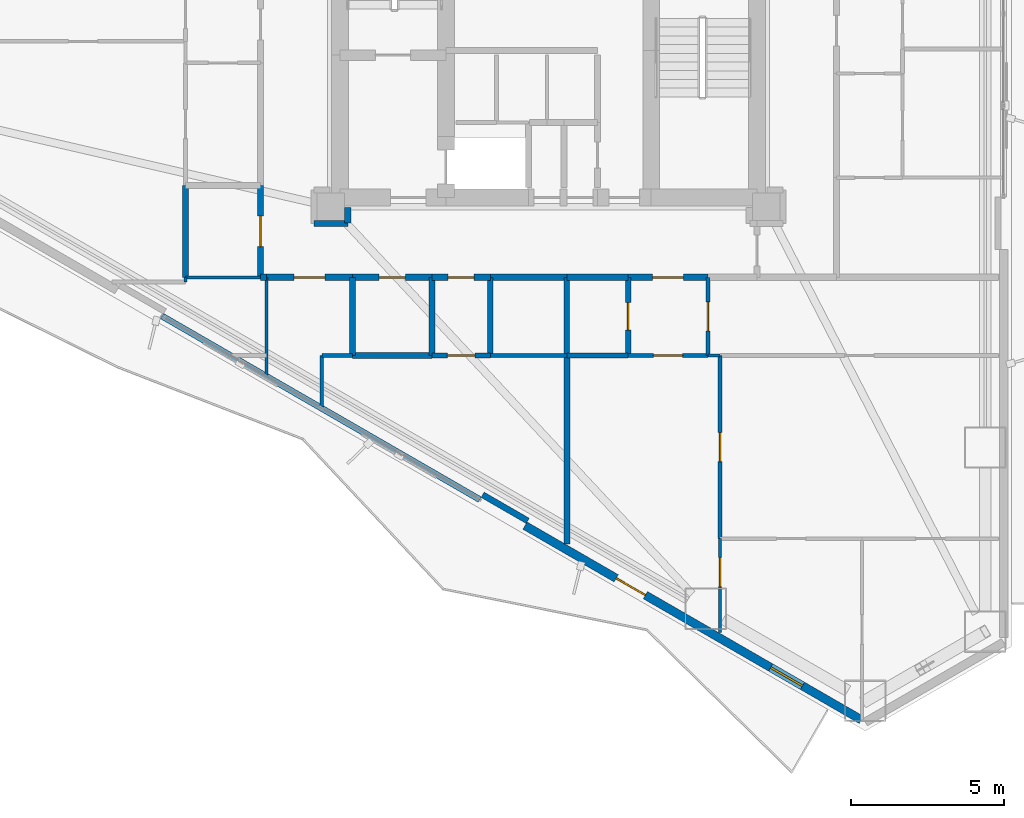
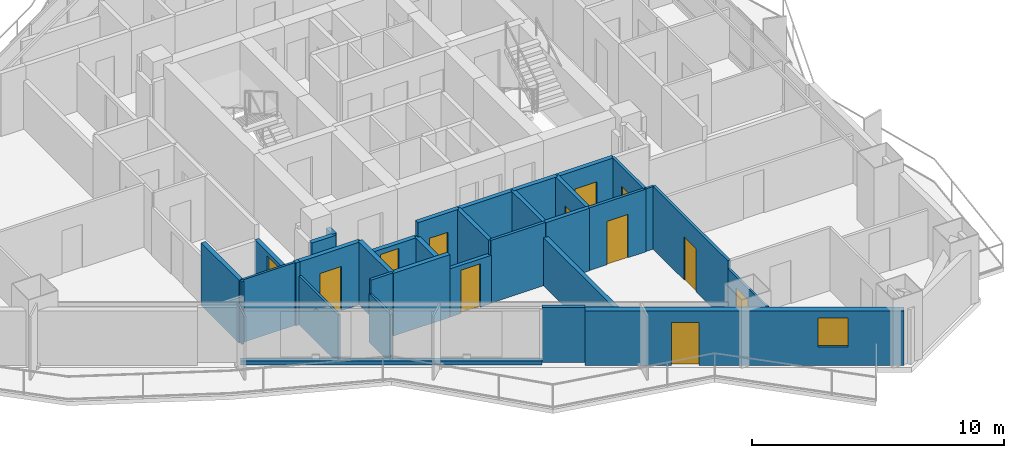
# One storey, part 12 of 19: 34 walls, 12 doors, 1 window, 13 openings.
"""IFC4 building model written with IfcOpenShell, lengths in metres."""

from ifc_helpers import new_model, si_unit, direction, frame, frame_2d, origin, place, context, subcontext, project, spatial, rectangle, extrude, material, layer, layer_set, type_object, element, fill, save


model = new_model("IFC4")

# Units and contexts
model_context = context("Model", 3, precision=1e-05, world=origin(), true_north=direction((0.0, 1.0)))
body_context = subcontext(model_context, "Body", "Model", "MODEL_VIEW")
ifc_project = project(units=[si_unit("LENGTHUNIT", "METRE"), si_unit("AREAUNIT", "SQUARE_METRE"), si_unit("VOLUMEUNIT", "CUBIC_METRE"), si_unit("PLANEANGLEUNIT", "RADIAN"), si_unit("MASSUNIT", "GRAM", prefix="KILO")], contexts=[model_context])

# Site, building, storey
site_placement = place(None, origin())
site = spatial("IfcSite", under=ifc_project, at=site_placement, CompositionType="ELEMENT")
building_placement = place(site_placement, origin())
building = spatial("IfcBuilding", under=site, at=building_placement, Name="Mersakhor Tower and Convention Hall", CompositionType="ELEMENT")
storey_placement = place(building_placement, frame((0.0, 0.0, 25.800048828125)))
storey = spatial("IfcBuildingStorey", under=building, at=storey_placement, Name="L06", CompositionType="ELEMENT", Elevation=25.800048828125)

# Wall, openings, door, window
ifc_material_1 = material(Name="Precast concrete C45/55", Category="concrete")
ifc_layer_1 = layer(ifc_material_1, 0.27490234375)
ifc_layer_set_1 = layer_set([ifc_layer_1], Name="Precast concrete C45/55")
wall_type_1 = type_object("IfcWallType", Name="WL-EXT-275", PredefinedType="SOLIDWALL", material=ifc_layer_set_1)
wall_1_placement = place(storey_placement, frame((39.20703125, 3.709716796875, 0.0), z_axis=(0.0, 0.0, 1.0), x_axis=(-0.86603192154, 0.499988710747, 0.0)))
wall_1 = element("IfcWall", 1, at=wall_1_placement, inside=storey, type_object=wall_type_1, Name="L06 Exterior Facade Wall F3-B1", PredefinedType="SOLIDWALL", context=body_context, shape_type="SweptSolid", body=[
    extrude(rectangle(XDim=12.673095703125, YDim=0.27490234375, at=frame_2d((6.33642578125, 0.0))), origin(), (0.0, 0.0, 1.0), 2.659912109375),
])
opening_1_placement = place(wall_1_placement, frame((8.135986328125, 0.0, 0.0)))
opening_1 = element("IfcOpeningElement", 2, at=opening_1_placement, cuts=wall_1, Name="Opening BD-02", PredefinedType="OPENING", context=body_context, shape_type="SweptSolid", body=[
    extrude(rectangle(XDim=1.10009765625, YDim=2.10009765625, at=frame_2d((0.550048828125, 1.050048828125))), frame((0.0, 0.1474609375, 0.0), z_axis=(0.0, -1.0, 0.0), x_axis=(1.0, 0.0, 0.0)), (0.0, 0.0, 1.0), 0.294921875),
])
opening_2_placement = place(wall_1_placement, frame((2.216064453125, 0.0, 0.89990234375)))
opening_2 = element("IfcOpeningElement", 3, at=opening_2_placement, cuts=wall_1, Name="Opening W-01", PredefinedType="OPENING", context=body_context, shape_type="SweptSolid", body=[
    extrude(rectangle(XDim=1.199951171875, YDim=1.39990234375, at=frame_2d((0.60009765625, 0.699951171875))), frame((0.0, 0.1474609375, 0.0), z_axis=(0.0, -1.0, 0.0), x_axis=(1.0, 0.0, 0.0)), (0.0, 0.0, 1.0), 0.294921875),
])
ifc_material_2 = material(Name="Thermally broken dark aluminium and safety glass", Category="aluminium")
door_type_1 = type_object("IfcDoorType", Name="DR-BAL-110x210", OperationType="NOTDEFINED", PredefinedType="DOOR", material=ifc_material_2)
door_1_placement = place(opening_1_placement, origin())
door_1 = element("IfcDoor", 4, at=door_1_placement, inside=storey, type_object=door_type_1, Name="L06 Balcony Terrace Door F3-B1", OperationType="SINGLE_SWING_RIGHT", OverallHeight=2.10009765625, OverallWidth=1.10009765625, PredefinedType="DOOR", context=body_context, shape_type="SweptSolid", body=[
    extrude(rectangle(XDim=1.10009765625, YDim=2.10009765625, at=frame_2d((0.550048828125, 1.050048828125))), frame((0.0, 0.02490234375, 0.0), z_axis=(0.0, -1.0, 0.0), x_axis=(1.0, 0.0, 0.0)), (0.0, 0.0, 1.0), 0.050048828125),
])
fill(opening_1, door_1)
ifc_material_3 = material(Name="Dark solar low-E glazed aluminium window", Category="aluminium")
window_type = type_object("IfcWindowType", Name="WN-RES-120x150", PartitioningType="SINGLE_PANEL", PredefinedType="WINDOW", material=ifc_material_3)
window_placement = place(opening_2_placement, origin())
window = element("IfcWindow", 5, at=window_placement, inside=storey, type_object=window_type, Name="L06 Bedroom Facade Window F3-B1-1", OverallHeight=1.39990234375, OverallWidth=1.199951171875, PartitioningType="SINGLE_PANEL", PredefinedType="WINDOW", context=body_context, shape_type="SweptSolid", body=[
    extrude(rectangle(XDim=1.199951171875, YDim=1.39990234375, at=frame_2d((0.60009765625, 0.699951171875))), frame((0.0, 0.030029296875, 0.0), z_axis=(0.0, -1.0, 0.0), x_axis=(1.0, 0.0, 0.0)), (0.0, 0.0, 1.0), 0.06005859375),
])
fill(opening_2, window)

# Walls
ifc_material_4 = material(Name="Precast concrete C40/50", Category="concrete")
ifc_layer_2 = layer(ifc_material_4, 0.199951171875)
ifc_layer_set_2 = layer_set([ifc_layer_2], Name="Precast concrete C40/50")
wall_type_2 = type_object("IfcWallType", Name="WL-PAR-200", PredefinedType="PARAPET", material=ifc_layer_set_2)
wall_2_placement = place(storey_placement, frame((26.759521484375, 10.896240234375, 0.0), z_axis=(0.0, 0.0, 1.0), x_axis=(-0.866027351828, 0.499996625875, 0.0)))
element("IfcWall", 6, at=wall_2_placement, inside=storey, type_object=wall_type_2, Name="L06 Curtain Wall Upstand Sill F3-B2", PredefinedType="PARAPET", context=body_context, shape_type="SweptSolid", body=[
    extrude(rectangle(XDim=11.97314453125, YDim=0.199951171875, at=frame_2d((5.986572265625, 0.0))), origin(), (0.0, 0.0, 1.0), 0.199951171875),
])
wall_3_placement = place(storey_placement, frame((28.32177734375, 10.2021484375, 0.0), z_axis=(0.0, 0.0, 1.0), x_axis=(-0.86605165483, 0.499954529098, 0.0)))
element("IfcWall", 7, at=wall_3_placement, inside=storey, type_object=wall_type_2, Name="L06 Column Pier Cladding Wall F3-C1", PredefinedType="PARAPET", context=body_context, shape_type="SweptSolid", body=[
    extrude(rectangle(XDim=1.699951171875, YDim=0.199951171875, at=frame_2d((0.85009765625, 0.0))), origin(), (0.0, 0.0, 1.0), 2.659912109375),
])

# Wall, opening, door
ifc_material_5 = material(Name="Moisture-resistant acoustic drywall studwork", Category="other")
ifc_layer_3 = layer(ifc_material_5, 0.175048828125)
ifc_layer_set_3 = layer_set([ifc_layer_3], Name="Moisture-resistant acoustic drywall studwork")
wall_type_3 = type_object("IfcWallType", Name="WL-PLM-175", PredefinedType="PLUMBINGWALL", material=ifc_layer_set_3)
wall_4_placement = place(storey_placement, frame((31.60009765625, 15.60009765625, 0.0), z_axis=(0.0, 0.0, 1.0), x_axis=(0.0, 1.0, 0.0)))
wall_4 = element("IfcWall", 8, at=wall_4_placement, inside=storey, type_object=wall_type_3, Name="L06 Interior Partition Wall P-072", PredefinedType="PLUMBINGWALL", context=body_context, shape_type="SweptSolid", body=[
    extrude(rectangle(XDim=2.5498046875, YDim=0.175048828125, at=frame_2d((1.27490234375, 0.0))), origin(), (0.0, 0.0, 1.0), 3.0400390625),
])
opening_3_placement = place(wall_4_placement, frame((0.824951171875, 0.0, 0.0)))
opening_3 = element("IfcOpeningElement", 9, at=opening_3_placement, cuts=wall_4, Name="Opening WD-01", PredefinedType="OPENING", context=body_context, shape_type="SweptSolid", body=[
    extrude(rectangle(XDim=0.89990234375, YDim=2.10009765625, at=frame_2d((0.449951171875, 1.050048828125))), frame((0.0, 0.097412109375, 0.0), z_axis=(0.0, -1.0, 0.0), x_axis=(1.0, 0.0, 0.0)), (0.0, 0.0, 1.0), 0.195068359375),
])
ifc_material_6 = material(Name="Solid-core hardwood leaf in painted steel frame", Category="steel")
door_type_2 = type_object("IfcDoorType", Name="DR-INT-WET-090x210", OperationType="NOTDEFINED", PredefinedType="DOOR", material=ifc_material_6)
door_2_placement = place(opening_3_placement, origin())
door_2 = element("IfcDoor", 10, at=door_2_placement, inside=storey, type_object=door_type_2, Name="L06 L06 Flat S3 Apartment Hall to L06 Flat S3 Bathroom Door", OperationType="SINGLE_SWING_RIGHT", OverallHeight=2.10009765625, OverallWidth=0.89990234375, PredefinedType="DOOR", context=body_context, shape_type="SweptSolid", body=[
    extrude(rectangle(XDim=0.89990234375, YDim=2.10009765625, at=frame_2d((0.449951171875, 1.050048828125))), frame((0.0, 0.02490234375, 0.0), z_axis=(0.0, -1.0, 0.0), x_axis=(1.0, 0.0, 0.0)), (0.0, 0.0, 1.0), 0.050048828125),
])
fill(opening_3, door_2)

wall_5_placement = place(storey_placement, frame((27.10009765625, 15.60009765625, 0.0), z_axis=(0.0, 0.0, 1.0), x_axis=(-1.0, 0.0, 0.0)))
wall_5 = element("IfcWall", 11, at=wall_5_placement, inside=storey, type_object=wall_type_3, Name="L06 Interior Partition Wall P-089", PredefinedType="PLUMBINGWALL", context=body_context, shape_type="SweptSolid", body=[
    extrude(rectangle(XDim=1.900146484375, YDim=0.175048828125, at=frame_2d((0.9501953125, 0.0))), origin(), (0.0, 0.0, 1.0), 2.33740234375),
])
opening_4_placement = place(wall_5_placement, frame((0.5, 0.0, 0.0)))
opening_4 = element("IfcOpeningElement", 12, at=opening_4_placement, cuts=wall_5, Name="Opening WD-01", PredefinedType="OPENING", context=body_context, shape_type="SweptSolid", body=[
    extrude(rectangle(XDim=0.89990234375, YDim=2.10009765625, at=frame_2d((0.449951171875, 1.050048828125))), frame((0.0, 0.097412109375, 0.0), z_axis=(0.0, -1.0, 0.0), x_axis=(1.0, 0.0, 0.0)), (0.0, 0.0, 1.0), 0.195068359375),
])
door_3_placement = place(opening_4_placement, origin())
door_3 = element("IfcDoor", 13, at=door_3_placement, inside=storey, type_object=door_type_2, Name="L06 L06 Floor Shared Restroom WC 2-2 to L06 Floor Residents Study Room 2-4 Door", OperationType="SINGLE_SWING_LEFT", OverallHeight=2.10009765625, OverallWidth=0.89990234375, PredefinedType="DOOR", context=body_context, shape_type="SweptSolid", body=[
    extrude(rectangle(XDim=0.89990234375, YDim=2.10009765625, at=frame_2d((0.449951171875, 1.050048828125))), frame((0.0, 0.02490234375, 0.0), z_axis=(0.0, -1.0, 0.0), x_axis=(1.0, 0.0, 0.0)), (0.0, 0.0, 1.0), 0.050048828125),
])
fill(opening_4, door_3)

# Walls
wall_6_placement = place(storey_placement, frame((27.10009765625, 18.14990234375, 0.0), z_axis=(0.0, 0.0, 1.0), x_axis=(0.0, -1.0, 0.0)))
element("IfcWall", 14, at=wall_6_placement, inside=storey, type_object=wall_type_3, Name="L06 Interior Partition Wall P-091", PredefinedType="PLUMBINGWALL", context=body_context, shape_type="SweptSolid", body=[
    extrude(rectangle(XDim=2.5498046875, YDim=0.175048828125, at=frame_2d((1.27490234375, 0.0))), origin(), (0.0, 0.0, 1.0), 3.0400390625),
])
wall_7_placement = place(storey_placement, frame((31.60009765625, 15.60009765625, 0.0), z_axis=(0.0, 0.0, 1.0), x_axis=(-1.0, 0.0, 0.0)))
element("IfcWall", 15, at=wall_7_placement, inside=storey, type_object=wall_type_3, Name="L06 Interior Partition Wall P-092", PredefinedType="PLUMBINGWALL", context=body_context, shape_type="SweptSolid", body=[
    extrude(rectangle(XDim=2.0, YDim=0.175048828125, at=frame_2d((1.0, 0.0))), origin(), (0.0, 0.0, 1.0), 3.0400390625),
])
wall_8_placement = place(storey_placement, frame((29.60009765625, 15.60009765625, 0.0), z_axis=(0.0, 0.0, 1.0), x_axis=(0.0, 1.0, 0.0)))
element("IfcWall", 16, at=wall_8_placement, inside=storey, type_object=wall_type_3, Name="L06 Interior Partition Wall P-093", PredefinedType="PLUMBINGWALL", context=body_context, shape_type="SweptSolid", body=[
    extrude(rectangle(XDim=2.5498046875, YDim=0.175048828125, at=frame_2d((1.27490234375, 0.0))), origin(), (0.0, 0.0, 1.0), 3.0400390625),
])
ifc_material_7 = material(Name="Lightweight gypsum partition", Category="other")
ifc_layer_4 = layer(ifc_material_7, 0.10009765625)
ifc_layer_set_4 = layer_set([ifc_layer_4], Name="Lightweight gypsum partition")
wall_type_4 = type_object("IfcWallType", Name="WL-PRT-100", PredefinedType="PARTITIONING", material=ifc_layer_set_4)
wall_9_placement = place(storey_placement, frame((34.60009765625, 15.60009765625, 0.0), z_axis=(0.0, 0.0, 1.0), x_axis=(-1.0, 0.0, 0.0)))
element("IfcWall", 17, at=wall_9_placement, inside=storey, type_object=wall_type_4, Name="L06 Interior Partition Wall P-096", PredefinedType="PARTITIONING", context=body_context, shape_type="SweptSolid", body=[
    extrude(rectangle(XDim=0.400146484375, YDim=0.10009765625, at=frame_2d((0.2001953125, 0.0))), origin(), (0.0, 0.0, 1.0), 3.0400390625),
])
wall_10_placement = place(storey_placement, frame((19.60009765625, 18.14990234375, 0.0), z_axis=(0.0, 0.0, 1.0), x_axis=(-1.0, 0.0, 0.0)))
element("IfcWall", 18, at=wall_10_placement, inside=storey, type_object=wall_type_4, Name="L06 Interior Partition Wall P-114", PredefinedType="PARTITIONING", context=body_context, shape_type="SweptSolid", body=[
    extrude(rectangle(XDim=2.4501953125, YDim=0.10009765625, at=frame_2d((1.22509765625, 0.0))), origin(), (0.0, 0.0, 1.0), 3.0400390625),
])
wall_11_placement = place(storey_placement, frame((21.60009765625, 15.60009765625, 0.0), z_axis=(0.0, 0.0, 1.0), x_axis=(0.0, -1.0, 0.0)))
element("IfcWall", 19, at=wall_11_placement, inside=storey, type_object=wall_type_4, Name="L06 Interior Partition Wall P-128", PredefinedType="PARTITIONING", context=body_context, shape_type="SweptSolid", body=[
    extrude(rectangle(XDim=1.68359375, YDim=0.10009765625, at=frame_2d((0.841796875, 0.0))), origin(), (0.0, 0.0, 1.0), 2.364990234375),
])
wall_12_placement = place(storey_placement, frame((19.800048828125, 14.955810546875, 0.0), z_axis=(0.0, 0.0, 1.0), x_axis=(0.0, 1.0, 0.0)))
element("IfcWall", 20, at=wall_12_placement, inside=storey, type_object=wall_type_4, Name="L06 Interior Partition Wall P-130", PredefinedType="PARTITIONING", context=body_context, shape_type="SweptSolid", body=[
    extrude(rectangle(XDim=3.194091796875, YDim=0.10009765625, at=frame_2d((1.59716796875, 0.0))), origin(), (0.0, 0.0, 1.0), 2.364990234375),
])

# Wall, opening, door
wall_13_placement = place(storey_placement, frame((34.60009765625, 9.6201171875, 0.0), z_axis=(0.0, 0.0, 1.0), x_axis=(0.0, -1.0, 0.0)))
wall_13 = element("IfcWall", 21, at=wall_13_placement, inside=storey, type_object=wall_type_4, Name="L06 Interior Partition Wall P-134", PredefinedType="PARTITIONING", context=body_context, shape_type="SweptSolid", body=[
    extrude(rectangle(XDim=3.064208984375, YDim=0.10009765625, at=frame_2d((1.5322265625, 0.0))), origin(), (0.0, 0.0, 1.0), 2.650390625),
])
opening_5_placement = place(wall_13_placement, frame((0.6171875, 0.0, 0.0)))
opening_5 = element("IfcOpeningElement", 22, at=opening_5_placement, cuts=wall_13, Name="Opening RD-01", PredefinedType="OPENING", context=body_context, shape_type="SweptSolid", body=[
    extrude(rectangle(XDim=0.949951171875, YDim=2.10009765625, at=frame_2d((0.47509765625, 1.050048828125))), frame((0.0, 0.06005859375, 0.0), z_axis=(0.0, -1.0, 0.0), x_axis=(1.0, 0.0, 0.0)), (0.0, 0.0, 1.0), 0.1201171875),
])
ifc_material_8 = material(Name="Solid-core hardwood leaf in painted steel frame", Category="steel")
door_type_3 = type_object("IfcDoorType", Name="DR-INT-RM-095x210", OperationType="NOTDEFINED", PredefinedType="DOOR", material=ifc_material_8)
door_4_placement = place(opening_5_placement, origin())
door_4 = element("IfcDoor", 23, at=door_4_placement, inside=storey, type_object=door_type_3, Name="L06 L06 Flat S3 Living and Dining Room to L06 Flat S3 Bedroom 1 Door", OperationType="SINGLE_SWING_RIGHT", OverallHeight=2.10009765625, OverallWidth=0.949951171875, PredefinedType="DOOR", context=body_context, shape_type="SweptSolid", body=[
    extrude(rectangle(XDim=0.949951171875, YDim=2.10009765625, at=frame_2d((0.47509765625, 1.050048828125))), frame((0.0, 0.02490234375, 0.0), z_axis=(0.0, -1.0, 0.0), x_axis=(1.0, 0.0, 0.0)), (0.0, 0.0, 1.0), 0.050048828125),
])
fill(opening_5, door_4)

# Wall
wall_14_placement = place(storey_placement, frame((17.14990234375, 18.14990234375, 0.0), z_axis=(0.0, 0.0, 1.0), x_axis=(0.0, -1.0, 0.0)))
element("IfcWall", 24, at=wall_14_placement, inside=storey, type_object=wall_type_4, Name="L06 Interior Partition Wall P-144", PredefinedType="PARTITIONING", context=body_context, shape_type="SweptSolid", body=[
    extrude(rectangle(XDim=0.14990234375, YDim=0.10009765625, at=frame_2d((0.074951171875, 0.0))), origin(), (0.0, 0.0, 1.0), 3.0400390625),
])

# Wall, opening, door
ifc_material_9 = material(Name="Gypsum board acoustic partition", Category="other")
ifc_layer_5 = layer(ifc_material_9, 0.125)
ifc_layer_set_5 = layer_set([ifc_layer_5], Name="Gypsum board acoustic partition")
wall_type_5 = type_object("IfcWallType", Name="WL-PRT-125", PredefinedType="PARTITIONING", material=ifc_layer_set_5)
wall_15_placement = place(storey_placement, frame((34.199951171875, 15.60009765625, 0.0), z_axis=(0.0, 0.0, 1.0), x_axis=(-1.0, 0.0, 0.0)))
wall_15 = element("IfcWall", 25, at=wall_15_placement, inside=storey, type_object=wall_type_5, Name="L06 Interior Partition Wall P-071", PredefinedType="PARTITIONING", context=body_context, shape_type="SweptSolid", body=[
    extrude(rectangle(XDim=2.599853515625, YDim=0.125, at=frame_2d((1.2998046875, 0.0))), origin(), (0.0, 0.0, 1.0), 3.0400390625),
])
opening_6_placement = place(wall_15_placement, frame((0.824951171875, 0.0, 0.0)))
opening_6 = element("IfcOpeningElement", 26, at=opening_6_placement, cuts=wall_15, Name="Opening RD-01", PredefinedType="OPENING", context=body_context, shape_type="SweptSolid", body=[
    extrude(rectangle(XDim=0.949951171875, YDim=2.10009765625, at=frame_2d((0.47509765625, 1.050048828125))), frame((0.0, 0.072509765625, 0.0), z_axis=(0.0, -1.0, 0.0), x_axis=(1.0, 0.0, 0.0)), (0.0, 0.0, 1.0), 0.14501953125),
])
door_5_placement = place(opening_6_placement, origin())
door_5 = element("IfcDoor", 27, at=door_5_placement, inside=storey, type_object=door_type_3, Name="L06 L06 Flat S3 Apartment Hall to L06 Flat S3 Living and Dining Room Door", OperationType="SINGLE_SWING_RIGHT", OverallHeight=2.10009765625, OverallWidth=0.949951171875, PredefinedType="DOOR", context=body_context, shape_type="SweptSolid", body=[
    extrude(rectangle(XDim=0.949951171875, YDim=2.10009765625, at=frame_2d((0.47509765625, 1.050048828125))), frame((0.0, 0.02490234375, 0.0), z_axis=(0.0, -1.0, 0.0), x_axis=(1.0, 0.0, 0.0)), (0.0, 0.0, 1.0), 0.050048828125),
])
fill(opening_6, door_5)

wall_16_placement = place(storey_placement, frame((34.199951171875, 18.14990234375, 0.0), z_axis=(0.0, 0.0, 1.0), x_axis=(0.0, -1.0, 0.0)))
wall_16 = element("IfcWall", 28, at=wall_16_placement, inside=storey, type_object=wall_type_5, Name="L06 Interior Partition Wall P-073", PredefinedType="PARTITIONING", context=body_context, shape_type="SweptSolid", body=[
    extrude(rectangle(XDim=2.5498046875, YDim=0.125, at=frame_2d((1.27490234375, 0.0))), origin(), (0.0, 0.0, 1.0), 3.0400390625),
])
opening_7_placement = place(wall_16_placement, frame((0.800048828125, 0.0, 0.0)))
opening_7 = element("IfcOpeningElement", 29, at=opening_7_placement, cuts=wall_16, Name="Opening RD-01", PredefinedType="OPENING", context=body_context, shape_type="SweptSolid", body=[
    extrude(rectangle(XDim=0.949951171875, YDim=2.10009765625, at=frame_2d((0.47509765625, 1.050048828125))), frame((0.0, 0.072509765625, 0.0), z_axis=(0.0, -1.0, 0.0), x_axis=(1.0, 0.0, 0.0)), (0.0, 0.0, 1.0), 0.14501953125),
])
door_6_placement = place(opening_7_placement, origin())
door_6 = element("IfcDoor", 30, at=door_6_placement, inside=storey, type_object=door_type_3, Name="L06 L06 Flat S3 Apartment Hall to L06 Flat S3 Kitchen Door", OperationType="SINGLE_SWING_LEFT", OverallHeight=2.10009765625, OverallWidth=0.949951171875, PredefinedType="DOOR", context=body_context, shape_type="SweptSolid", body=[
    extrude(rectangle(XDim=0.949951171875, YDim=2.10009765625, at=frame_2d((0.47509765625, 1.050048828125))), frame((0.0, 0.02490234375, 0.0), z_axis=(0.0, -1.0, 0.0), x_axis=(1.0, 0.0, 0.0)), (0.0, 0.0, 1.0), 0.050048828125),
])
fill(opening_7, door_6)

# Walls
wall_17_placement = place(storey_placement, frame((22.60009765625, 15.60009765625, 0.0), z_axis=(0.0, 0.0, 1.0), x_axis=(-1.0, 0.0, 0.0)))
element("IfcWall", 31, at=wall_17_placement, inside=storey, type_object=wall_type_5, Name="L06 Interior Partition Wall P-127", PredefinedType="PARTITIONING", context=body_context, shape_type="SweptSolid", body=[
    extrude(rectangle(XDim=1.0, YDim=0.125, at=frame_2d((0.5, 0.0))), origin(), (0.0, 0.0, 1.0), 3.0400390625),
])
wall_18_placement = place(storey_placement, frame((27.10009765625, 15.60009765625, 0.0), z_axis=(0.0, 0.0, 1.0), x_axis=(1.0, 0.0, 0.0)))
element("IfcWall", 32, at=wall_18_placement, inside=storey, type_object=wall_type_5, Name="L06 Interior Partition Wall P-131", PredefinedType="PARTITIONING", context=body_context, shape_type="SweptSolid", body=[
    extrude(rectangle(XDim=2.5, YDim=0.125, at=frame_2d((1.25, 0.0))), origin(), (0.0, 0.0, 1.0), 3.0400390625),
])

# Wall, opening, door
wall_19_placement = place(storey_placement, frame((34.60009765625, 15.60009765625, 0.0), z_axis=(0.0, 0.0, 1.0), x_axis=(0.0, -1.0, 0.0)))
wall_19 = element("IfcWall", 33, at=wall_19_placement, inside=storey, type_object=wall_type_5, Name="L06 Interior Partition Wall P-133", PredefinedType="PARTITIONING", context=body_context, shape_type="SweptSolid", body=[
    extrude(rectangle(XDim=5.97998046875, YDim=0.125, at=frame_2d((2.989990234375, 0.0))), origin(), (0.0, 0.0, 1.0), 3.0400390625),
])
opening_8_placement = place(wall_19_placement, frame((2.514892578125, 0.0, 0.0)))
opening_8 = element("IfcOpeningElement", 34, at=opening_8_placement, cuts=wall_19, Name="Opening RD-01", PredefinedType="OPENING", context=body_context, shape_type="SweptSolid", body=[
    extrude(rectangle(XDim=0.949951171875, YDim=2.10009765625, at=frame_2d((0.47509765625, 1.050048828125))), frame((0.0, 0.072509765625, 0.0), z_axis=(0.0, -1.0, 0.0), x_axis=(1.0, 0.0, 0.0)), (0.0, 0.0, 1.0), 0.14501953125),
])
door_7_placement = place(opening_8_placement, origin())
door_7 = element("IfcDoor", 35, at=door_7_placement, inside=storey, type_object=door_type_3, Name="L06 L06 Flat S3 Living and Dining Room to L06 Flat S3 Dining Room Door", OperationType="SINGLE_SWING_LEFT", OverallHeight=2.10009765625, OverallWidth=0.949951171875, PredefinedType="DOOR", context=body_context, shape_type="SweptSolid", body=[
    extrude(rectangle(XDim=0.949951171875, YDim=2.10009765625, at=frame_2d((0.47509765625, 1.050048828125))), frame((0.0, 0.02490234375, 0.0), z_axis=(0.0, -1.0, 0.0), x_axis=(1.0, 0.0, 0.0)), (0.0, 0.0, 1.0), 0.050048828125),
])
fill(opening_8, door_7)

# Walls
ifc_material_10 = material(Name="Acoustic concrete blockwork and gypsum board", Category="masonry")
ifc_layer_6 = layer(ifc_material_10, 0.199951171875)
ifc_layer_set_6 = layer_set([ifc_layer_6], Name="Acoustic concrete blockwork and gypsum board")
wall_type_6 = type_object("IfcWallType", Name="WL-PRT-200", PredefinedType="PARTITIONING", material=ifc_layer_set_6)
wall_20_placement = place(storey_placement, frame((21.35009765625, 19.89990234375, 0.0), z_axis=(0.0, 0.0, 1.0), x_axis=(1.0, 0.0, 0.0)))
element("IfcWall", 36, at=wall_20_placement, inside=storey, type_object=wall_type_6, Name="L06 Interior Partition Wall P-021", PredefinedType="PARTITIONING", context=body_context, shape_type="SweptSolid", body=[
    extrude(rectangle(XDim=1.099853515625, YDim=0.199951171875, at=frame_2d((0.5498046875, 0.0))), origin(), (0.0, 0.0, 1.0), 2.33740234375),
])
wall_21_placement = place(storey_placement, frame((22.449951171875, 19.929931640625, 0.0), z_axis=(0.0, 0.0, 1.0), x_axis=(0.0, 1.0, 0.0)))
element("IfcWall", 37, at=wall_21_placement, inside=storey, type_object=wall_type_6, Name="L06 Interior Partition Wall P-022", PredefinedType="PARTITIONING", context=body_context, shape_type="SweptSolid", body=[
    extrude(rectangle(XDim=0.4951171875, YDim=0.199951171875, at=frame_2d((0.24755859375, 0.0))), origin(), (0.0, 0.0, 1.0), 2.33740234375),
])

# Wall, opening, door
wall_22_placement = place(storey_placement, frame((34.199951171875, 18.14990234375, 0.0), z_axis=(0.0, 0.0, 1.0), x_axis=(-1.0, 0.0, 0.0)))
wall_22 = element("IfcWall", 38, at=wall_22_placement, inside=storey, type_object=wall_type_6, Name="L06 Interior Partition Wall P-027", PredefinedType="PARTITIONING", context=body_context, shape_type="SweptSolid", body=[
    extrude(rectangle(XDim=2.599853515625, YDim=0.199951171875, at=frame_2d((1.2998046875, 0.0))), origin(), (0.0, 0.0, 1.0), 3.0400390625),
])
opening_9_placement = place(wall_22_placement, frame((0.800048828125, 0.0, 0.0)))
opening_9 = element("IfcOpeningElement", 39, at=opening_9_placement, cuts=wall_22, Name="Opening FD-01", PredefinedType="OPENING", context=body_context, shape_type="SweptSolid", body=[
    extrude(rectangle(XDim=1.0, YDim=2.14990234375, at=frame_2d((0.5, 1.074951171875))), frame((0.0, 0.10986328125, 0.0), z_axis=(0.0, -1.0, 0.0), x_axis=(1.0, 0.0, 0.0)), (0.0, 0.0, 1.0), 0.219970703125),
])
ifc_material_11 = material(Name="Fire-rated hardwood leaf and painted steel frame", Category="steel")
door_type_4 = type_object("IfcDoorType", Name="DR-INT-FLT-100x215", OperationType="NOTDEFINED", PredefinedType="DOOR", material=ifc_material_11)
door_8_placement = place(opening_9_placement, origin())
door_8 = element("IfcDoor", 40, at=door_8_placement, inside=storey, type_object=door_type_4, Name="L06 Apartment Entrance Door (Residential Ring Corridor to L06 Flat S3 Apartment Hall)", OperationType="SINGLE_SWING_RIGHT", OverallHeight=2.14990234375, OverallWidth=1.0, PredefinedType="DOOR", context=body_context, shape_type="SweptSolid", body=[
    extrude(rectangle(XDim=1.0, YDim=2.14990234375, at=frame_2d((0.5, 1.074951171875))), frame((0.0, 0.02490234375, 0.0), z_axis=(0.0, -1.0, 0.0), x_axis=(1.0, 0.0, 0.0)), (0.0, 0.0, 1.0), 0.050048828125),
])
fill(opening_9, door_8)

# Walls
wall_23_placement = place(storey_placement, frame((31.60009765625, 18.14990234375, 0.0), z_axis=(0.0, 0.0, 1.0), x_axis=(-1.0, 0.0, 0.0)))
element("IfcWall", 41, at=wall_23_placement, inside=storey, type_object=wall_type_6, Name="L06 Interior Partition Wall P-028", PredefinedType="PARTITIONING", context=body_context, shape_type="SweptSolid", body=[
    extrude(rectangle(XDim=2.0, YDim=0.199951171875, at=frame_2d((1.0, 0.0))), origin(), (0.0, 0.0, 1.0), 3.0400390625),
])
wall_24_placement = place(storey_placement, frame((29.60009765625, 18.14990234375, 0.0), z_axis=(0.0, 0.0, 1.0), x_axis=(-1.0, 0.0, 0.0)))
element("IfcWall", 42, at=wall_24_placement, inside=storey, type_object=wall_type_6, Name="L06 Interior Partition Wall P-029", PredefinedType="PARTITIONING", context=body_context, shape_type="SweptSolid", body=[
    extrude(rectangle(XDim=2.5, YDim=0.199951171875, at=frame_2d((1.25, 0.0))), origin(), (0.0, 0.0, 1.0), 3.0400390625),
])

# Wall, opening, door
wall_25_placement = place(storey_placement, frame((27.10009765625, 18.14990234375, 0.0), z_axis=(0.0, 0.0, 1.0), x_axis=(-1.0, 0.0, 0.0)))
wall_25 = element("IfcWall", 43, at=wall_25_placement, inside=storey, type_object=wall_type_6, Name="L06 Interior Partition Wall P-030", PredefinedType="PARTITIONING", context=body_context, shape_type="SweptSolid", body=[
    extrude(rectangle(XDim=1.900146484375, YDim=0.199951171875, at=frame_2d((0.9501953125, 0.0))), origin(), (0.0, 0.0, 1.0), 3.0400390625),
])
opening_10_placement = place(wall_25_placement, frame((0.52490234375, 0.0, 0.0)))
opening_10 = element("IfcOpeningElement", 44, at=opening_10_placement, cuts=wall_25, Name="Opening SVD-01", PredefinedType="OPENING", context=body_context, shape_type="SweptSolid", body=[
    extrude(rectangle(XDim=0.85009765625, YDim=2.10009765625, at=frame_2d((0.425048828125, 1.050048828125))), frame((0.0, 0.10986328125, 0.0), z_axis=(0.0, -1.0, 0.0), x_axis=(1.0, 0.0, 0.0)), (0.0, 0.0, 1.0), 0.219970703125),
])
ifc_material_12 = material(Name="Fire-rated hardwood leaf and painted steel frame", Category="steel")
door_type_5 = type_object("IfcDoorType", Name="DR-INT-SVC-085x210", OperationType="NOTDEFINED", PredefinedType="DOOR", material=ifc_material_12)
door_9_placement = place(opening_10_placement, origin())
door_9 = element("IfcDoor", 45, at=door_9_placement, inside=storey, type_object=door_type_5, Name="L06 Residential Ring Corridor to L06 Floor Shared Restroom WC 2-2 Door", OperationType="SINGLE_SWING_RIGHT", OverallHeight=2.10009765625, OverallWidth=0.85009765625, PredefinedType="DOOR", context=body_context, shape_type="SweptSolid", body=[
    extrude(rectangle(XDim=0.85009765625, YDim=2.10009765625, at=frame_2d((0.425048828125, 1.050048828125))), frame((0.0, 0.02490234375, 0.0), z_axis=(0.0, -1.0, 0.0), x_axis=(1.0, 0.0, 0.0)), (0.0, 0.0, 1.0), 0.050048828125),
])
fill(opening_10, door_9)

wall_26_placement = place(storey_placement, frame((25.199951171875, 18.14990234375, 0.0), z_axis=(0.0, 0.0, 1.0), x_axis=(-1.0, 0.0, 0.0)))
wall_26 = element("IfcWall", 46, at=wall_26_placement, inside=storey, type_object=wall_type_6, Name="L06 Interior Partition Wall P-031", PredefinedType="PARTITIONING", context=body_context, shape_type="SweptSolid", body=[
    extrude(rectangle(XDim=2.599853515625, YDim=0.199951171875, at=frame_2d((1.2998046875, 0.0))), origin(), (0.0, 0.0, 1.0), 2.33740234375),
])
opening_11_placement = place(wall_26_placement, frame((0.875, 0.0, 0.0)))
opening_11 = element("IfcOpeningElement", 47, at=opening_11_placement, cuts=wall_26, Name="Opening SVD-01", PredefinedType="OPENING", context=body_context, shape_type="SweptSolid", body=[
    extrude(rectangle(XDim=0.85009765625, YDim=2.10009765625, at=frame_2d((0.425048828125, 1.050048828125))), frame((0.0, 0.10986328125, 0.0), z_axis=(0.0, -1.0, 0.0), x_axis=(1.0, 0.0, 0.0)), (0.0, 0.0, 1.0), 0.219970703125),
])
door_10_placement = place(opening_11_placement, origin())
door_10 = element("IfcDoor", 48, at=door_10_placement, inside=storey, type_object=door_type_5, Name="L06 Residential Ring Corridor to L06 Floor Household Store Room 2-1 Door", OperationType="SINGLE_SWING_RIGHT", OverallHeight=2.10009765625, OverallWidth=0.85009765625, PredefinedType="DOOR", context=body_context, shape_type="SweptSolid", body=[
    extrude(rectangle(XDim=0.85009765625, YDim=2.10009765625, at=frame_2d((0.425048828125, 1.050048828125))), frame((0.0, 0.02490234375, 0.0), z_axis=(0.0, -1.0, 0.0), x_axis=(1.0, 0.0, 0.0)), (0.0, 0.0, 1.0), 0.050048828125),
])
fill(opening_11, door_10)

wall_27_placement = place(storey_placement, frame((22.60009765625, 18.14990234375, 0.0), z_axis=(0.0, 0.0, 1.0), x_axis=(-1.0, 0.0, 0.0)))
wall_27 = element("IfcWall", 49, at=wall_27_placement, inside=storey, type_object=wall_type_6, Name="L06 Interior Partition Wall P-032", PredefinedType="PARTITIONING", context=body_context, shape_type="SweptSolid", body=[
    extrude(rectangle(XDim=2.800048828125, YDim=0.199951171875, at=frame_2d((1.39990234375, 0.0))), origin(), (0.0, 0.0, 1.0), 3.0400390625),
])
opening_12_placement = place(wall_27_placement, frame((0.89990234375, 0.0, 0.0)))
opening_12 = element("IfcOpeningElement", 50, at=opening_12_placement, cuts=wall_27, Name="Opening FD-01", PredefinedType="OPENING", context=body_context, shape_type="SweptSolid", body=[
    extrude(rectangle(XDim=1.0, YDim=2.14990234375, at=frame_2d((0.5, 1.074951171875))), frame((0.0, 0.10986328125, 0.0), z_axis=(0.0, -1.0, 0.0), x_axis=(1.0, 0.0, 0.0)), (0.0, 0.0, 1.0), 0.219970703125),
])
door_11_placement = place(opening_12_placement, origin())
door_11 = element("IfcDoor", 51, at=door_11_placement, inside=storey, type_object=door_type_4, Name="L06 Residential Ring Corridor to L06 Floor Shared Tea Pantry 2-3 Door", OperationType="SINGLE_SWING_LEFT", OverallHeight=2.14990234375, OverallWidth=1.0, PredefinedType="DOOR", context=body_context, shape_type="SweptSolid", body=[
    extrude(rectangle(XDim=1.0, YDim=2.14990234375, at=frame_2d((0.5, 1.074951171875))), frame((0.0, 0.02490234375, 0.0), z_axis=(0.0, -1.0, 0.0), x_axis=(1.0, 0.0, 0.0)), (0.0, 0.0, 1.0), 0.050048828125),
])
fill(opening_12, door_11)

# Wall
wall_28_placement = place(storey_placement, frame((19.800048828125, 18.14990234375, 0.0), z_axis=(0.0, 0.0, 1.0), x_axis=(-1.0, 0.0, 0.0)))
element("IfcWall", 52, at=wall_28_placement, inside=storey, type_object=wall_type_6, Name="L06 Interior Partition Wall P-033", PredefinedType="PARTITIONING", context=body_context, shape_type="SweptSolid", body=[
    extrude(rectangle(XDim=0.199951171875, YDim=0.199951171875, at=frame_2d((0.10009765625, 0.0))), origin(), (0.0, 0.0, 1.0), 3.0400390625),
])

# Wall, opening, door
wall_29_placement = place(storey_placement, frame((19.60009765625, 18.14990234375, 0.0), z_axis=(0.0, 0.0, 1.0), x_axis=(0.0, 1.0, 0.0)))
wall_29 = element("IfcWall", 53, at=wall_29_placement, inside=storey, type_object=wall_type_6, Name="L06 Interior Partition Wall P-034", PredefinedType="PARTITIONING", context=body_context, shape_type="SweptSolid", body=[
    extrude(rectangle(XDim=3.0, YDim=0.199951171875, at=frame_2d((1.5, 0.0))), origin(), (0.0, 0.0, 1.0), 2.33740234375),
])
opening_13_placement = place(wall_29_placement, frame((1.0, 0.0, 0.0)))
opening_13 = element("IfcOpeningElement", 54, at=opening_13_placement, cuts=wall_29, Name="Opening FD-01", PredefinedType="OPENING", context=body_context, shape_type="SweptSolid", body=[
    extrude(rectangle(XDim=1.0, YDim=2.14990234375, at=frame_2d((0.5, 1.074951171875))), frame((0.0, 0.10986328125, 0.0), z_axis=(0.0, -1.0, 0.0), x_axis=(1.0, 0.0, 0.0)), (0.0, 0.0, 1.0), 0.219970703125),
])
door_12_placement = place(opening_13_placement, origin())
door_12 = element("IfcDoor", 55, at=door_12_placement, inside=storey, type_object=door_type_4, Name="L06 Residential Ring Corridor to L06 West Wing Shared Laundry Room Door", OperationType="SINGLE_SWING_LEFT", OverallHeight=2.14990234375, OverallWidth=1.0, PredefinedType="DOOR", context=body_context, shape_type="SweptSolid", body=[
    extrude(rectangle(XDim=1.0, YDim=2.14990234375, at=frame_2d((0.5, 1.074951171875))), frame((0.0, 0.02490234375, 0.0), z_axis=(0.0, -1.0, 0.0), x_axis=(1.0, 0.0, 0.0)), (0.0, 0.0, 1.0), 0.050048828125),
])
fill(opening_13, door_12)

# Walls
wall_30_placement = place(storey_placement, frame((25.199951171875, 15.60009765625, 0.0), z_axis=(0.0, 0.0, 1.0), x_axis=(0.0, 1.0, 0.0)))
element("IfcWall", 56, at=wall_30_placement, inside=storey, type_object=wall_type_6, Name="L06 Interior Partition Wall P-090", PredefinedType="PARTITIONING", context=body_context, shape_type="SweptSolid", body=[
    extrude(rectangle(XDim=2.5498046875, YDim=0.199951171875, at=frame_2d((1.27490234375, 0.0))), origin(), (0.0, 0.0, 1.0), 2.33740234375),
])
wall_31_placement = place(storey_placement, frame((17.14990234375, 18.14990234375, 0.0), z_axis=(0.0, 0.0, 1.0), x_axis=(0.0, 1.0, 0.0)))
element("IfcWall", 57, at=wall_31_placement, inside=storey, type_object=wall_type_6, Name="L06 Interior Partition Wall P-113", PredefinedType="PARTITIONING", context=body_context, shape_type="SweptSolid", body=[
    extrude(rectangle(XDim=3.0, YDim=0.199951171875, at=frame_2d((1.5, 0.0))), origin(), (0.0, 0.0, 1.0), 3.0400390625),
])
wall_32_placement = place(storey_placement, frame((25.199951171875, 15.60009765625, 0.0), z_axis=(0.0, 0.0, 1.0), x_axis=(-1.0, 0.0, 0.0)))
element("IfcWall", 58, at=wall_32_placement, inside=storey, type_object=wall_type_6, Name="L06 Interior Partition Wall P-125", PredefinedType="PARTITIONING", context=body_context, shape_type="SweptSolid", body=[
    extrude(rectangle(XDim=2.599853515625, YDim=0.199951171875, at=frame_2d((1.2998046875, 0.0))), origin(), (0.0, 0.0, 1.0), 3.0400390625),
])
wall_33_placement = place(storey_placement, frame((22.60009765625, 15.60009765625, 0.0), z_axis=(0.0, 0.0, 1.0), x_axis=(0.0, 1.0, 0.0)))
element("IfcWall", 59, at=wall_33_placement, inside=storey, type_object=wall_type_6, Name="L06 Interior Partition Wall P-126", PredefinedType="PARTITIONING", context=body_context, shape_type="SweptSolid", body=[
    extrude(rectangle(XDim=2.5498046875, YDim=0.199951171875, at=frame_2d((1.27490234375, 0.0))), origin(), (0.0, 0.0, 1.0), 3.0400390625),
])
wall_34_placement = place(storey_placement, frame((29.60009765625, 15.60009765625, 0.0), z_axis=(0.0, 0.0, 1.0), x_axis=(0.0, -1.0, 0.0)))
element("IfcWall", 60, at=wall_34_placement, inside=storey, type_object=wall_type_6, Name="L06 Interior Partition Wall P-132", PredefinedType="PARTITIONING", context=body_context, shape_type="SweptSolid", body=[
    extrude(rectangle(XDim=6.1572265625, YDim=0.199951171875, at=frame_2d((3.07861328125, 0.0))), origin(), (0.0, 0.0, 1.0), 2.33740234375),
])

save(model, "model.ifc")
